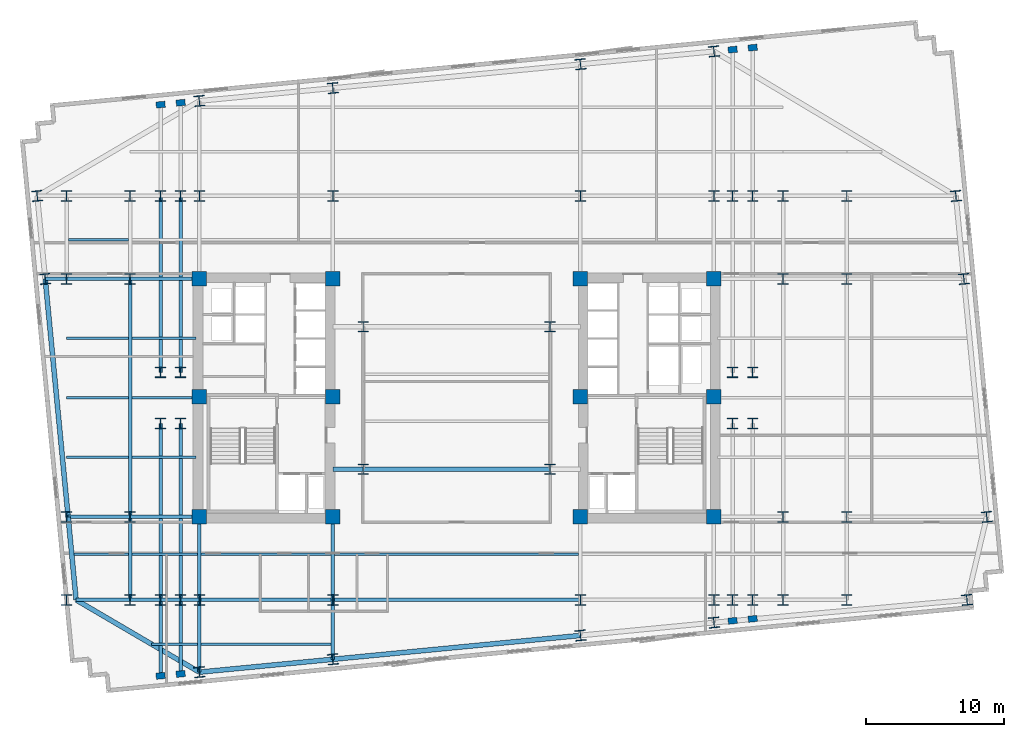
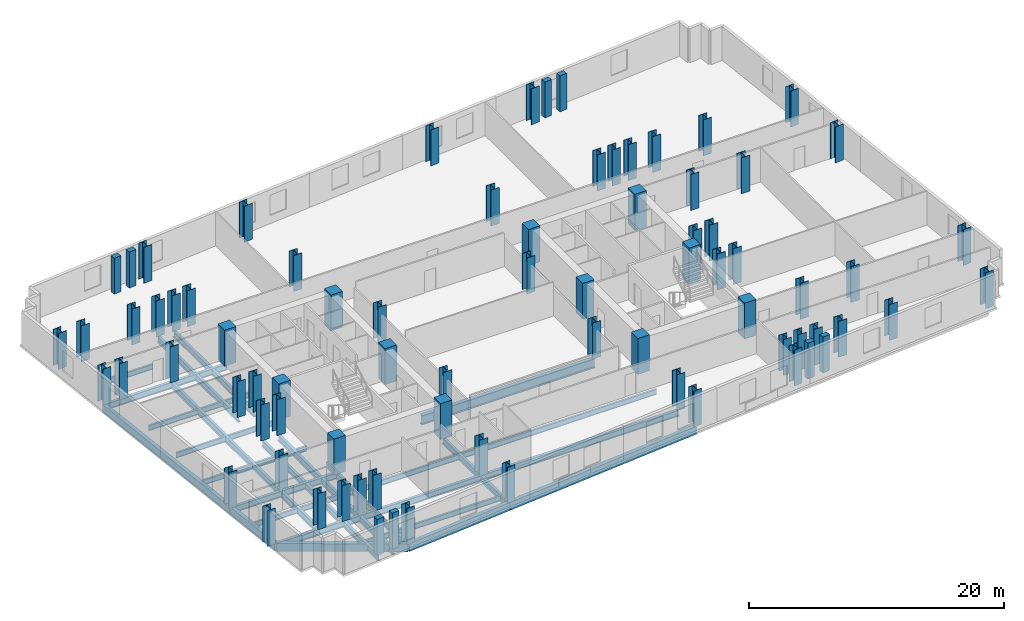
# One storey, part 1 of 10: 78 columns, 41 beams.
"""IFC4 building model written with IfcOpenShell, lengths in metres."""

from ifc_helpers import new_model, si_unit, direction, frame, origin, origin_2d, place, context, subcontext, project, spatial, rectangle, i_section, extrude, material, material_profile, profile_set, type_object, element, save


model = new_model("IFC4")

# Units and contexts
model_context = context("Model", 3, precision=1e-05, world=origin(), true_north=direction((0.0, 1.0)))
body_context = subcontext(model_context, "Body", "Model", "MODEL_VIEW")
ifc_project = project(units=[si_unit("LENGTHUNIT", "METRE"), si_unit("AREAUNIT", "SQUARE_METRE"), si_unit("VOLUMEUNIT", "CUBIC_METRE"), si_unit("PLANEANGLEUNIT", "RADIAN"), si_unit("MASSUNIT", "GRAM", prefix="KILO")], contexts=[model_context])

# Site, building, storey
site_placement = place(None, origin())
site = spatial("IfcSite", under=ifc_project, at=site_placement, CompositionType="ELEMENT")
building_placement = place(site_placement, origin())
building = spatial("IfcBuilding", under=site, at=building_placement, Name="Velakula Bourse", CompositionType="ELEMENT")
storey_placement = place(building_placement, frame((0.0, 0.0, 81.10009765625)))
storey = spatial("IfcBuildingStorey", under=building, at=storey_placement, Name="L21", CompositionType="ELEMENT", Elevation=81.10009765625)

# Columns
ifc_material_1 = material(Name="Concrete M70 (fck 70 MPa)", Category="concrete")
ifc_material_profile_1 = material_profile(ifc_material_1, rectangle(XDim=1.050048828125, YDim=1.050048828125, at=origin_2d()), Name="Concrete M70 (fck 70 MPa)")
ifc_profile_set_1 = profile_set([ifc_material_profile_1], Name="Concrete M70 (fck 70 MPa)")
column_type_1 = type_object("IfcColumnType", Name="COL-RC-1050", PredefinedType="COLUMN", material=ifc_profile_set_1)
for number, where, z_axis, x_axis, name in (
    (1, (-8.949951171875, -8.60009765625, 0.0), (0.0, 0.0, 1.0), (1.0, 0.0, 0.0), "L21 Core Boundary Column 01"),
    (2, (-8.949951171875, 0.10009765625, 0.0), (0.0, 0.0, 1.0), (1.0, 0.0, 0.0), "L21 Core Boundary Column 02"),
    (3, (-8.949951171875, 8.60009765625, 0.0), (0.0, 0.0, 1.0), (1.0, 0.0, 0.0), "L21 Core Boundary Column 03"),
    (4, (-18.60009765625, -8.60009765625, 0.0), (0.0, 0.0, 1.0), (1.0, 0.0, 0.0), "L21 Core Boundary Column 04"),
    (5, (-18.60009765625, 0.10009765625, 0.0), (0.0, 0.0, 1.0), (1.0, 0.0, 0.0), "L21 Core Boundary Column 05"),
    (6, (-18.60009765625, 8.60009765625, 0.0), (0.0, 0.0, 1.0), (1.0, 0.0, 0.0), "L21 Core Boundary Column 06"),
    (7, (8.949951171875, -8.60009765625, 0.0), (0.0, 0.0, 1.0), (1.0, 0.0, 0.0), "L21 Core Boundary Column 07"),
    (8, (8.949951171875, 0.10009765625, 0.0), (0.0, 0.0, 1.0), (1.0, 0.0, 0.0), "L21 Core Boundary Column 08"),
    (9, (8.949951171875, 8.60009765625, 0.0), (0.0, 0.0, 1.0), (1.0, 0.0, 0.0), "L21 Core Boundary Column 09"),
    (10, (18.60009765625, -8.60009765625, 0.0), (0.0, 0.0, 1.0), (1.0, 0.0, 0.0), "L21 Core Boundary Column 10"),
    (11, (18.60009765625, 0.10009765625, 0.0), (0.0, 0.0, 1.0), (1.0, 0.0, 0.0), "L21 Core Boundary Column 11"),
    (12, (18.60009765625, 8.60009765625, 0.0), (0.0, 0.0, 1.0), (1.0, 0.0, 0.0), "L21 Core Boundary Column 12"),
):
    element("IfcColumn", number, at=place(storey_placement, frame(where, z_axis=z_axis, x_axis=x_axis)), inside=storey, type_object=column_type_1, Name=name, PredefinedType="COLUMN", context=body_context, shape_type="SweptSolid", body=[
        extrude(rectangle(XDim=1.050048828125, YDim=1.050048828125, at=origin_2d()), origin(), (0.0, 0.0, 1.0), 3.449951171875),
    ])
ifc_material_2 = material(Name="Steel IS 2062 Grade 450 (E450)", Category="steel")
ifc_material_profile_2 = material_profile(ifc_material_2, i_section(OverallWidth=0.75, OverallDepth=0.75, WebThickness=0.030029296875, FlangeThickness=0.0439453125, at=origin_2d()), Name="Steel IS 2062 Grade 450 (E450)")
ifc_profile_set_2 = profile_set([ifc_material_profile_2], Name="Steel IS 2062 Grade 450 (E450)")
column_type_2 = type_object("IfcColumnType", Name="COL-STL-750", PredefinedType="COLUMN", material=ifc_profile_set_2)
for number, where, z_axis, x_axis, name in (
    (13, (-6.75, -5.14990234375, 0.0), (0.0, 0.0, 1.0), (1.0, 0.0, 0.0), "L21 Central Spine Column 01"),
    (14, (-6.75, 5.14990234375, 0.0), (0.0, 0.0, 1.0), (1.0, 0.0, 0.0), "L21 Central Spine Column 02"),
    (15, (6.75, -5.14990234375, 0.0), (0.0, 0.0, 1.0), (1.0, 0.0, 0.0), "L21 Central Spine Column 03"),
    (16, (6.75, 5.14990234375, 0.0), (0.0, 0.0, 1.0), (1.0, 0.0, 0.0), "L21 Central Spine Column 04"),
    (17, (-21.39990234375, -14.60009765625, 0.0), (0.0, 0.0, 1.0), (1.0, 0.0, 0.0), "L21 Tower Fulcrum Column 01"),
    (18, (-21.39990234375, 14.60009765625, 0.0), (0.0, 0.0, 1.0), (1.0, 0.0, 0.0), "L21 Tower Fulcrum Column 02"),
    (19, (-19.949951171875, -14.60009765625, 0.0), (0.0, 0.0, 1.0), (1.0, 0.0, 0.0), "L21 Tower Fulcrum Column 03"),
    (20, (-19.949951171875, 14.60009765625, 0.0), (0.0, 0.0, 1.0), (1.0, 0.0, 0.0), "L21 Tower Fulcrum Column 04"),
    (21, (-18.60009765625, -14.60009765625, 0.0), (0.0, 0.0, 1.0), (1.0, 0.0, 0.0), "L21 Tower Fulcrum Column 05"),
    (22, (-18.60009765625, 14.60009765625, 0.0), (0.0, 0.0, 1.0), (1.0, 0.0, 0.0), "L21 Tower Fulcrum Column 06"),
    (23, (-8.949951171875, -14.60009765625, 0.0), (0.0, 0.0, 1.0), (1.0, 0.0, 0.0), "L21 Tower Fulcrum Column 07"),
    (24, (-8.949951171875, 14.60009765625, 0.0), (0.0, 0.0, 1.0), (1.0, 0.0, 0.0), "L21 Tower Fulcrum Column 08"),
    (25, (8.949951171875, -14.60009765625, 0.0), (0.0, 0.0, 1.0), (1.0, 0.0, 0.0), "L21 Tower Fulcrum Column 09"),
    (26, (8.949951171875, 14.60009765625, 0.0), (0.0, 0.0, 1.0), (1.0, 0.0, 0.0), "L21 Tower Fulcrum Column 10"),
    (27, (18.60009765625, -14.60009765625, 0.0), (0.0, 0.0, 1.0), (1.0, 0.0, 0.0), "L21 Tower Fulcrum Column 11"),
    (28, (18.60009765625, 14.60009765625, 0.0), (0.0, 0.0, 1.0), (1.0, 0.0, 0.0), "L21 Tower Fulcrum Column 12"),
    (29, (19.949951171875, -14.60009765625, 0.0), (0.0, 0.0, 1.0), (1.0, 0.0, 0.0), "L21 Tower Fulcrum Column 13"),
    (30, (19.949951171875, 14.60009765625, 0.0), (0.0, 0.0, 1.0), (1.0, 0.0, 0.0), "L21 Tower Fulcrum Column 14"),
    (31, (21.39990234375, -14.60009765625, 0.0), (0.0, 0.0, 1.0), (1.0, 0.0, 0.0), "L21 Tower Fulcrum Column 15"),
    (32, (21.39990234375, 14.60009765625, 0.0), (0.0, 0.0, 1.0), (1.0, 0.0, 0.0), "L21 Tower Fulcrum Column 16"),
    (33, (-21.39990234375, -1.85009765625, 0.0), (0.0, 0.0, 1.0), (1.0, 0.0, 0.0), "L21 Tower Fulcrum Column 17"),
    (34, (-21.39990234375, 1.85009765625, 0.0), (0.0, 0.0, 1.0), (1.0, 0.0, 0.0), "L21 Tower Fulcrum Column 18"),
    (35, (-19.949951171875, -1.85009765625, 0.0), (0.0, 0.0, 1.0), (1.0, 0.0, 0.0), "L21 Tower Fulcrum Column 19"),
    (36, (-19.949951171875, 1.85009765625, 0.0), (0.0, 0.0, 1.0), (1.0, 0.0, 0.0), "L21 Tower Fulcrum Column 20"),
    (37, (19.949951171875, -1.85009765625, 0.0), (0.0, 0.0, 1.0), (1.0, 0.0, 0.0), "L21 Tower Fulcrum Column 21"),
    (38, (19.949951171875, 1.85009765625, 0.0), (0.0, 0.0, 1.0), (1.0, 0.0, 0.0), "L21 Tower Fulcrum Column 22"),
    (39, (21.39990234375, -1.85009765625, 0.0), (0.0, 0.0, 1.0), (1.0, 0.0, 0.0), "L21 Tower Fulcrum Column 23"),
    (40, (21.39990234375, 1.85009765625, 0.0), (0.0, 0.0, 1.0), (1.0, 0.0, 0.0), "L21 Tower Fulcrum Column 24"),
    (41, (-23.60009765625, -14.60009765625, 0.0), (0.0, 0.0, 1.0), (1.0, 0.0, 0.0), "L21 Mid-Wing Plumb Column 01"),
    (42, (-23.60009765625, -8.60009765625, 0.0), (0.0, 0.0, 1.0), (1.0, 0.0, 0.0), "L21 Mid-Wing Plumb Column 02"),
    (43, (-23.60009765625, 8.60009765625, 0.0), (0.0, 0.0, 1.0), (1.0, 0.0, 0.0), "L21 Mid-Wing Plumb Column 03"),
    (44, (-23.60009765625, 14.60009765625, 0.0), (0.0, 0.0, 1.0), (1.0, 0.0, 0.0), "L21 Mid-Wing Plumb Column 04"),
    (45, (23.60009765625, -14.60009765625, 0.0), (0.0, 0.0, 1.0), (1.0, 0.0, 0.0), "L21 Mid-Wing Plumb Column 05"),
    (46, (23.60009765625, -8.60009765625, 0.0), (0.0, 0.0, 1.0), (1.0, 0.0, 0.0), "L21 Mid-Wing Plumb Column 06"),
    (47, (23.60009765625, 8.60009765625, 0.0), (0.0, 0.0, 1.0), (1.0, 0.0, 0.0), "L21 Mid-Wing Plumb Column 07"),
    (48, (23.60009765625, 14.60009765625, 0.0), (0.0, 0.0, 1.0), (1.0, 0.0, 0.0), "L21 Mid-Wing Plumb Column 08"),
    (49, (-28.199951171875, -14.60009765625, 0.0), (0.0, 0.0, 1.0), (1.0, 0.0, 0.0), "L21 Lower Wing Column 01"),
    (50, (-28.199951171875, -8.60009765625, 0.0), (0.0, 0.0, 1.0), (1.0, 0.0, 0.0), "L21 Lower Wing Column 02"),
    (51, (-28.199951171875, 8.60009765625, 0.0), (0.0, 0.0, 1.0), (1.0, 0.0, 0.0), "L21 Lower Wing Column 03"),
    (52, (-28.199951171875, 14.60009765625, 0.0), (0.0, 0.0, 1.0), (1.0, 0.0, 0.0), "L21 Lower Wing Column 04"),
    (53, (28.199951171875, -14.60009765625, 0.0), (0.0, 0.0, 1.0), (1.0, 0.0, 0.0), "L21 Lower Wing Column 05"),
    (54, (28.199951171875, -8.60009765625, 0.0), (0.0, 0.0, 1.0), (1.0, 0.0, 0.0), "L21 Lower Wing Column 06"),
    (55, (28.199951171875, 8.60009765625, 0.0), (0.0, 0.0, 1.0), (1.0, 0.0, 0.0), "L21 Lower Wing Column 07"),
    (56, (28.199951171875, 14.60009765625, 0.0), (0.0, 0.0, 1.0), (1.0, 0.0, 0.0), "L21 Lower Wing Column 08"),
    (57, (-18.60009765625, -19.8212890625, 0.0), (0.0, 0.0, 1.0), (0.995396198367, 0.09584575252, 0.0), "L21 Block B2 Perimeter Column S1"),
    (58, (-8.949951171875, -18.89208984375, 0.0), (0.0, 0.0, 1.0), (0.995396198367, 0.09584575252, 0.0), "L21 Block B2 Perimeter Column S2"),
    (59, (8.949951171875, -17.16845703125, 0.0), (0.0, 0.0, 1.0), (0.995396198367, 0.09584575252, 0.0), "L21 Block B2 Perimeter Column S3"),
    (60, (18.60009765625, -16.2392578125, 0.0), (0.0, 0.0, 1.0), (0.995396198367, 0.09584575252, 0.0), "L21 Block B2 Perimeter Column S4"),
    (61, (-18.60009765625, 21.468994140625, 0.0), (0.0, 0.0, 1.0), (0.995396198367, 0.09584575252, 0.0), "L21 Block B2 Perimeter Column N1"),
    (62, (-8.949951171875, 22.398193359375, 0.0), (0.0, 0.0, 1.0), (0.995396198367, 0.09584575252, 0.0), "L21 Block B2 Perimeter Column N2"),
    (63, (8.949951171875, 24.12158203125, 0.0), (0.0, 0.0, 1.0), (0.995396198367, 0.09584575252, 0.0), "L21 Block B2 Perimeter Column N3"),
    (64, (18.60009765625, 25.05078125, 0.0), (0.0, 0.0, 1.0), (0.995396198367, 0.09584575252, 0.0), "L21 Block B2 Perimeter Column N4"),
    (65, (-29.7421875, 8.60009765625, 0.0), (0.0, 0.0, 1.0), (0.995396198367, 0.09584575252, 0.0), "L21 Block B2 Perimeter Column W3"),
    (66, (-30.31982421875, 14.60009765625, 0.0), (0.0, 0.0, 1.0), (0.995396198367, 0.09584575252, 0.0), "L21 Block B2 Perimeter Column W4"),
    (67, (36.88818359375, -14.60009765625, 0.0), (0.0, 0.0, 1.0), (0.995396198367, 0.09584575252, 0.0), "L21 Block B2 Perimeter Column E1"),
    (68, (38.31982421875, -8.60009765625, 0.0), (0.0, 0.0, 1.0), (0.995396198367, 0.09584575252, 0.0), "L21 Block B2 Perimeter Column E2"),
    (69, (36.66357421875, 8.60009765625, 0.0), (0.0, 0.0, 1.0), (0.995396198367, 0.09584575252, 0.0), "L21 Block B2 Perimeter Column E3"),
    (70, (36.0859375, 14.60009765625, 0.0), (0.0, 0.0, 1.0), (0.995396198367, 0.09584575252, 0.0), "L21 Block B2 Perimeter Column E4"),
):
    element("IfcColumn", number, at=place(storey_placement, frame(where, z_axis=z_axis, x_axis=x_axis)), inside=storey, type_object=column_type_2, Name=name, PredefinedType="COLUMN", context=body_context, shape_type="SweptSolid", body=[
        extrude(i_section(OverallWidth=0.75, OverallDepth=0.75, WebThickness=0.030029296875, FlangeThickness=0.0439453125, at=origin_2d()), origin(), (0.0, 0.0, 1.0), 3.449951171875),
    ])
ifc_material_3 = material(Name="Precast concrete M45 (fck 45 MPa)", Category="concrete")
ifc_material_profile_3 = material_profile(ifc_material_3, rectangle(XDim=0.64990234375, YDim=0.449951171875, at=origin_2d()), Name="Precast concrete M45 (fck 45 MPa)")
ifc_profile_set_3 = profile_set([ifc_material_profile_3], Name="Precast concrete M45 (fck 45 MPa)")
column_type_3 = type_object("IfcColumnType", Name="PIL-BRICK-650", PredefinedType="PILASTER", material=ifc_profile_set_3)
for number, where, z_axis, x_axis, name in (
    (71, (-21.39990234375, -20.0908203125, 0.0), (0.0, 0.0, 1.0), (0.995396198367, 0.09584575252, 0.0), "L21 Brick Pier Pilaster 01"),
    (72, (-19.949951171875, -19.951171875, 0.0), (0.0, 0.0, 1.0), (0.995396198367, 0.09584575252, 0.0), "L21 Brick Pier Pilaster 02"),
    (73, (19.949951171875, -16.109130859375, 0.0), (0.0, 0.0, 1.0), (0.995396198367, 0.09584575252, 0.0), "L21 Brick Pier Pilaster 03"),
    (74, (21.39990234375, -15.969482421875, 0.0), (0.0, 0.0, 1.0), (0.995396198367, 0.09584575252, 0.0), "L21 Brick Pier Pilaster 04"),
    (75, (-21.39990234375, 21.19921875, 0.0), (0.0, 0.0, 1.0), (0.995396198367, 0.09584575252, 0.0), "L21 Brick Pier Pilaster 05"),
    (76, (-19.949951171875, 21.3388671875, 0.0), (0.0, 0.0, 1.0), (0.995396198367, 0.09584575252, 0.0), "L21 Brick Pier Pilaster 06"),
    (77, (19.949951171875, 25.180908203125, 0.0), (0.0, 0.0, 1.0), (0.995396198367, 0.09584575252, 0.0), "L21 Brick Pier Pilaster 07"),
    (78, (21.39990234375, 25.320556640625, 0.0), (0.0, 0.0, 1.0), (0.995396198367, 0.09584575252, 0.0), "L21 Brick Pier Pilaster 08"),
):
    element("IfcColumn", number, at=place(storey_placement, frame(where, z_axis=z_axis, x_axis=x_axis)), inside=storey, type_object=column_type_3, Name=name, PredefinedType="PILASTER", context=body_context, shape_type="SweptSolid", body=[
        extrude(rectangle(XDim=0.64990234375, YDim=0.449951171875, at=origin_2d()), origin(), (0.0, 0.0, 1.0), 3.449951171875),
    ])

# Beams
ifc_material_4 = material(Name="Steel IS 2062 Grade 350 (E350)", Category="steel")
ifc_material_profile_4 = material_profile(ifc_material_4, i_section(OverallWidth=0.25, OverallDepth=0.60009765625, WebThickness=0.01171875, FlangeThickness=0.023681640625, at=origin_2d()), Name="Steel IS 2062 Grade 350 (E350)")
ifc_profile_set_4 = profile_set([ifc_material_profile_4], Name="Steel IS 2062 Grade 350 (E350)")
beam_type_1 = type_object("IfcBeamType", Name="BM-GRD-600H", PredefinedType="BEAM", material=ifc_profile_set_4)
for number, where, z_axis, x_axis, name in (
    (79, (-18.60009765625, -14.60009765625, -0.47998046875), (0.0, 1.0, 0.0), (-1.0, 0.0, 0.0), "L21 Fulcrum Grid Girder FLC-WS"),
    (80, (-8.949951171875, -14.60009765625, -0.47998046875), (0.0, 1.0, 0.0), (-1.0, 0.0, 0.0), "L21 Fulcrum Grid Girder FLC-WCS"),
):
    element("IfcBeam", number, at=place(storey_placement, frame(where, z_axis=z_axis, x_axis=x_axis)), inside=storey, type_object=beam_type_1, Name=name, PredefinedType="BEAM", context=body_context, shape_type="SweptSolid", body=[
        extrude(i_section(OverallWidth=0.25, OverallDepth=0.60009765625, WebThickness=0.01171875, FlangeThickness=0.023681640625, at=origin_2d()), origin(), (0.0, 0.0, 1.0), 6.0),
    ])
beam_1_placement = place(storey_placement, frame((-18.60009765625, -14.60009765625, -0.47998046875), z_axis=(1.0, 0.0, 0.0), x_axis=(0.0, 1.0, 0.0)))
element("IfcBeam", 81, at=beam_1_placement, inside=storey, type_object=beam_type_1, Name="L21 Fulcrum Grid Girder FLC-S1", PredefinedType="BEAM", context=body_context, shape_type="SweptSolid", body=[
    extrude(i_section(OverallWidth=0.25, OverallDepth=0.60009765625, WebThickness=0.01171875, FlangeThickness=0.023681640625, at=origin_2d()), origin(), (0.0, 0.0, 1.0), 9.650146484375),
])
beam_2_placement = place(storey_placement, frame((-8.949951171875, -14.60009765625, -0.47998046875), z_axis=(1.0, 0.0, 0.0), x_axis=(0.0, 1.0, 0.0)))
element("IfcBeam", 82, at=beam_2_placement, inside=storey, type_object=beam_type_1, Name="L21 Fulcrum Grid Girder FLC-S2", PredefinedType="BEAM", context=body_context, shape_type="SweptSolid", body=[
    extrude(i_section(OverallWidth=0.25, OverallDepth=0.60009765625, WebThickness=0.01171875, FlangeThickness=0.023681640625, at=origin_2d()), origin(), (0.0, 0.0, 1.0), 17.89990234375),
])
for number, where, z_axis, x_axis, name in (
    (83, (-21.39990234375, -14.60009765625, -0.47998046875), (0.0, 1.0, 0.0), (-1.0, 0.0, 0.0), "L21 Fulcrum Grid Girder FLC-PSW1"),
    (84, (-21.39990234375, 1.85009765625, -0.47998046875), (0.0, 1.0, 0.0), (-1.0, 0.0, 0.0), "L21 Fulcrum Grid Girder FLC-PNW1"),
    (85, (-19.949951171875, -14.60009765625, -0.47998046875), (0.0, 1.0, 0.0), (-1.0, 0.0, 0.0), "L21 Fulcrum Grid Girder FLC-PSW2"),
    (86, (-19.949951171875, 1.85009765625, -0.47998046875), (0.0, 1.0, 0.0), (-1.0, 0.0, 0.0), "L21 Fulcrum Grid Girder FLC-PNW2"),
):
    element("IfcBeam", number, at=place(storey_placement, frame(where, z_axis=z_axis, x_axis=x_axis)), inside=storey, type_object=beam_type_1, Name=name, PredefinedType="BEAM", context=body_context, shape_type="SweptSolid", body=[
        extrude(i_section(OverallWidth=0.25, OverallDepth=0.60009765625, WebThickness=0.01171875, FlangeThickness=0.023681640625, at=origin_2d()), origin(), (0.0, 0.0, 1.0), 12.75),
    ])
for number, where, z_axis, x_axis, name in (
    (87, (-23.60009765625, -14.60009765625, -0.47998046875), (1.0, 0.0, 0.0), (0.0, 1.0, 0.0), "L21 Fulcrum Grid Girder MWG-WS1"),
    (88, (-23.60009765625, -8.60009765625, -0.47998046875), (1.0, 0.0, 0.0), (0.0, 1.0, 0.0), "L21 Fulcrum Grid Girder MWG-WS2"),
    (89, (-23.60009765625, 8.60009765625, -0.47998046875), (1.0, 0.0, 0.0), (0.0, 1.0, 0.0), "L21 Fulcrum Grid Girder MWG-WN1"),
):
    element("IfcBeam", number, at=place(storey_placement, frame(where, z_axis=z_axis, x_axis=x_axis)), inside=storey, type_object=beam_type_1, Name=name, PredefinedType="BEAM", context=body_context, shape_type="SweptSolid", body=[
        extrude(i_section(OverallWidth=0.25, OverallDepth=0.60009765625, WebThickness=0.01171875, FlangeThickness=0.023681640625, at=origin_2d()), origin(), (0.0, 0.0, 1.0), 5.0),
    ])
beam_3_placement = place(storey_placement, frame((-23.60009765625, -14.60009765625, -0.47998046875), z_axis=(0.0, 1.0, 0.0), x_axis=(-1.0, 0.0, 0.0)))
element("IfcBeam", 90, at=beam_3_placement, inside=storey, type_object=beam_type_1, Name="L21 Fulcrum Grid Girder MWG-WNS1", PredefinedType="BEAM", context=body_context, shape_type="SweptSolid", body=[
    extrude(i_section(OverallWidth=0.25, OverallDepth=0.60009765625, WebThickness=0.01171875, FlangeThickness=0.023681640625, at=origin_2d()), origin(), (0.0, 0.0, 1.0), 6.0),
])
beam_4_placement = place(storey_placement, frame((-23.60009765625, -8.60009765625, -0.47998046875), z_axis=(0.0, 1.0, 0.0), x_axis=(-1.0, 0.0, 0.0)))
element("IfcBeam", 91, at=beam_4_placement, inside=storey, type_object=beam_type_1, Name="L21 Fulcrum Grid Girder MWG-WNS2", PredefinedType="BEAM", context=body_context, shape_type="SweptSolid", body=[
    extrude(i_section(OverallWidth=0.25, OverallDepth=0.60009765625, WebThickness=0.01171875, FlangeThickness=0.023681640625, at=origin_2d()), origin(), (0.0, 0.0, 1.0), 17.2001953125),
])
beam_5_placement = place(storey_placement, frame((-27.50830078125, -14.60009765625, -0.47998046875), z_axis=(1.0, 0.0, 0.0), x_axis=(0.0, 1.0, 0.0)))
element("IfcBeam", 92, at=beam_5_placement, inside=storey, type_object=beam_type_1, Name="L21 Fulcrum Grid Girder WNG-WS1", PredefinedType="BEAM", context=body_context, shape_type="SweptSolid", body=[
    extrude(i_section(OverallWidth=0.25, OverallDepth=0.60009765625, WebThickness=0.01171875, FlangeThickness=0.023681640625, at=origin_2d()), origin(), (0.0, 0.0, 1.0), 3.908203125),
])
beam_6_placement = place(storey_placement, frame((-28.0859375, -8.60009765625, -0.47998046875), z_axis=(1.0, 0.0, 0.0), x_axis=(0.0, 1.0, 0.0)))
element("IfcBeam", 93, at=beam_6_placement, inside=storey, type_object=beam_type_1, Name="L21 Fulcrum Grid Girder WNG-WS2", PredefinedType="BEAM", context=body_context, shape_type="SweptSolid", body=[
    extrude(i_section(OverallWidth=0.25, OverallDepth=0.60009765625, WebThickness=0.01171875, FlangeThickness=0.023681640625, at=origin_2d()), origin(), (0.0, 0.0, 1.0), 4.48583984375),
])
beam_7_placement = place(storey_placement, frame((-28.199951171875, 8.60009765625, -0.47998046875), z_axis=(1.0, 0.0, 0.0), x_axis=(0.0, 1.0, 0.0)))
element("IfcBeam", 94, at=beam_7_placement, inside=storey, type_object=beam_type_1, Name="L21 Fulcrum Grid Girder WNG-WN1", PredefinedType="BEAM", context=body_context, shape_type="SweptSolid", body=[
    extrude(i_section(OverallWidth=0.25, OverallDepth=0.60009765625, WebThickness=0.01171875, FlangeThickness=0.023681640625, at=origin_2d()), origin(), (0.0, 0.0, 1.0), 4.599853515625),
])
beam_8_placement = place(storey_placement, frame((-18.60009765625, -14.60009765625, -0.47998046875), z_axis=(0.0, -1.0, 0.0), x_axis=(1.0, 0.0, 0.0)))
element("IfcBeam", 95, at=beam_8_placement, inside=storey, type_object=beam_type_1, Name="L21 Perimeter Tie Girder S1", PredefinedType="BEAM", context=body_context, shape_type="SweptSolid", body=[
    extrude(i_section(OverallWidth=0.25, OverallDepth=0.60009765625, WebThickness=0.01171875, FlangeThickness=0.023681640625, at=origin_2d()), origin(), (0.0, 0.0, 1.0), 5.22119140625),
])
beam_9_placement = place(storey_placement, frame((-8.949951171875, -14.60009765625, -0.47998046875), z_axis=(0.0, -1.0, 0.0), x_axis=(1.0, 0.0, 0.0)))
element("IfcBeam", 96, at=beam_9_placement, inside=storey, type_object=beam_type_1, Name="L21 Perimeter Tie Girder S2", PredefinedType="BEAM", context=body_context, shape_type="SweptSolid", body=[
    extrude(i_section(OverallWidth=0.25, OverallDepth=0.60009765625, WebThickness=0.01171875, FlangeThickness=0.023681640625, at=origin_2d()), origin(), (0.0, 0.0, 1.0), 4.2919921875),
])
beam_10_placement = place(storey_placement, frame((-28.199951171875, 8.60009765625, -0.47998046875), z_axis=(-1.0, 0.0, 0.0), x_axis=(0.0, -1.0, 0.0)))
element("IfcBeam", 97, at=beam_10_placement, inside=storey, type_object=beam_type_1, Name="L21 Perimeter Tie Girder W3", PredefinedType="BEAM", context=body_context, shape_type="SweptSolid", body=[
    extrude(i_section(OverallWidth=0.25, OverallDepth=0.60009765625, WebThickness=0.01171875, FlangeThickness=0.023681640625, at=origin_2d()), origin(), (0.0, 0.0, 1.0), 1.542236328125),
])
beam_11_placement = place(storey_placement, frame((-21.39990234375, -14.60009765625, -0.47998046875), z_axis=(0.0, -1.0, 0.0), x_axis=(1.0, 0.0, 0.0)))
element("IfcBeam", 98, at=beam_11_placement, inside=storey, type_object=beam_type_1, Name="L21 Perimeter Tie Girder P01", PredefinedType="BEAM", context=body_context, shape_type="SweptSolid", body=[
    extrude(i_section(OverallWidth=0.25, OverallDepth=0.60009765625, WebThickness=0.01171875, FlangeThickness=0.023681640625, at=origin_2d()), origin(), (0.0, 0.0, 1.0), 5.49072265625),
])
beam_12_placement = place(storey_placement, frame((-19.949951171875, -14.60009765625, -0.47998046875), z_axis=(0.0, -1.0, 0.0), x_axis=(1.0, 0.0, 0.0)))
element("IfcBeam", 99, at=beam_12_placement, inside=storey, type_object=beam_type_1, Name="L21 Perimeter Tie Girder P02", PredefinedType="BEAM", context=body_context, shape_type="SweptSolid", body=[
    extrude(i_section(OverallWidth=0.25, OverallDepth=0.60009765625, WebThickness=0.01171875, FlangeThickness=0.023681640625, at=origin_2d()), origin(), (0.0, 0.0, 1.0), 5.35107421875),
])
ifc_material_profile_5 = material_profile(ifc_material_4, i_section(OverallWidth=0.35009765625, OverallDepth=0.89990234375, WebThickness=0.02001953125, FlangeThickness=0.031982421875, at=origin_2d()), Name="Steel IS 2062 Grade 350 (E350)")
ifc_profile_set_5 = profile_set([ifc_material_profile_5], Name="Steel IS 2062 Grade 350 (E350)")
beam_type_2 = type_object("IfcBeamType", Name="BM-LNK-900", PredefinedType="BEAM", material=ifc_profile_set_5)
beam_13_placement = place(storey_placement, frame((-8.949951171875, -5.14990234375, -0.630126953125), z_axis=(1.0, 0.0, 0.0), x_axis=(0.0, 1.0, 0.0)))
element("IfcBeam", 100, at=beam_13_placement, inside=storey, type_object=beam_type_2, Name="L21 Primary Backbone Girder LNK-S1", PredefinedType="BEAM", context=body_context, shape_type="SweptSolid", body=[
    extrude(i_section(OverallWidth=0.35009765625, OverallDepth=0.89990234375, WebThickness=0.02001953125, FlangeThickness=0.031982421875, at=origin_2d()), origin(), (0.0, 0.0, 1.0), 2.199951171875),
])
beam_14_placement = place(storey_placement, frame((-6.75, -5.14990234375, -0.630126953125), z_axis=(1.0, 0.0, 0.0), x_axis=(0.0, 1.0, 0.0)))
element("IfcBeam", 101, at=beam_14_placement, inside=storey, type_object=beam_type_2, Name="L21 Primary Backbone Girder LNK-S2", PredefinedType="BEAM", context=body_context, shape_type="SweptSolid", body=[
    extrude(i_section(OverallWidth=0.35009765625, OverallDepth=0.89990234375, WebThickness=0.02001953125, FlangeThickness=0.031982421875, at=origin_2d()), origin(), (0.0, 0.0, 1.0), 13.5),
])
ifc_material_profile_6 = material_profile(ifc_material_4, i_section(OverallWidth=0.179931640625, OverallDepth=0.5, WebThickness=0.01025390625, FlangeThickness=0.01708984375, at=origin_2d()), Name="Steel IS 2062 Grade 350 (E350)")
ifc_profile_set_6 = profile_set([ifc_material_profile_6], Name="Steel IS 2062 Grade 350 (E350)")
beam_type_3 = type_object("IfcBeamType", Name="JST-TWR-500", PredefinedType="JOIST", material=ifc_profile_set_6)
beam_15_placement = place(storey_placement, frame((-22.048583984375, -17.800048828125, -0.43017578125), z_axis=(1.0, 0.0, 0.0), x_axis=(0.0, 1.0, 0.0)))
element("IfcBeam", 102, at=beam_15_placement, inside=storey, type_object=beam_type_3, Name="L21 Trading Floor Composite Joist 01", PredefinedType="JOIST", context=body_context, shape_type="SweptSolid", body=[
    extrude(i_section(OverallWidth=0.179931640625, OverallDepth=0.5, WebThickness=0.01025390625, FlangeThickness=0.01708984375, at=origin_2d()), origin(), (0.0, 0.0, 1.0), 3.323486328125),
])
beam_16_placement = place(storey_placement, frame((-18.47509765625, -17.800048828125, -0.43017578125), z_axis=(1.0, 0.0, 0.0), x_axis=(0.0, 1.0, 0.0)))
element("IfcBeam", 103, at=beam_16_placement, inside=storey, type_object=beam_type_3, Name="L21 Trading Floor Composite Joist 02", PredefinedType="JOIST", context=body_context, shape_type="SweptSolid", body=[
    extrude(i_section(OverallWidth=0.179931640625, OverallDepth=0.5, WebThickness=0.01025390625, FlangeThickness=0.01708984375, at=origin_2d()), origin(), (0.0, 0.0, 1.0), 9.400146484375),
])
beam_17_placement = place(storey_placement, frame((-27.650146484375, -11.300048828125, -0.43017578125), z_axis=(1.0, 0.0, 0.0), x_axis=(0.0, 1.0, 0.0)))
element("IfcBeam", 104, at=beam_17_placement, inside=storey, type_object=beam_type_3, Name="L21 Trading Floor Composite Joist 04", PredefinedType="JOIST", context=body_context, shape_type="SweptSolid", body=[
    extrude(i_section(OverallWidth=0.179931640625, OverallDepth=0.5, WebThickness=0.01025390625, FlangeThickness=0.01708984375, at=origin_2d()), origin(), (0.0, 0.0, 1.0), 3.925048828125),
])
beam_18_placement = place(storey_placement, frame((-23.47509765625, -11.300048828125, -0.43017578125), z_axis=(1.0, 0.0, 0.0), x_axis=(0.0, 1.0, 0.0)))
element("IfcBeam", 105, at=beam_18_placement, inside=storey, type_object=beam_type_3, Name="L21 Trading Floor Composite Joist 05", PredefinedType="JOIST", context=body_context, shape_type="SweptSolid", body=[
    extrude(i_section(OverallWidth=0.179931640625, OverallDepth=0.5, WebThickness=0.01025390625, FlangeThickness=0.01708984375, at=origin_2d()), origin(), (0.0, 0.0, 1.0), 4.75),
])
beam_19_placement = place(storey_placement, frame((-18.47509765625, -11.300048828125, -0.43017578125), z_axis=(1.0, 0.0, 0.0), x_axis=(0.0, 1.0, 0.0)))
element("IfcBeam", 106, at=beam_19_placement, inside=storey, type_object=beam_type_3, Name="L21 Trading Floor Composite Joist 06", PredefinedType="JOIST", context=body_context, shape_type="SweptSolid", body=[
    extrude(i_section(OverallWidth=0.179931640625, OverallDepth=0.5, WebThickness=0.01025390625, FlangeThickness=0.01708984375, at=origin_2d()), origin(), (0.0, 0.0, 1.0), 9.400146484375),
])
beam_20_placement = place(storey_placement, frame((-8.824951171875, -11.300048828125, -0.43017578125), z_axis=(1.0, 0.0, 0.0), x_axis=(0.0, 1.0, 0.0)))
element("IfcBeam", 107, at=beam_20_placement, inside=storey, type_object=beam_type_3, Name="L21 Trading Floor Composite Joist 07", PredefinedType="JOIST", context=body_context, shape_type="SweptSolid", body=[
    extrude(i_section(OverallWidth=0.179931640625, OverallDepth=0.5, WebThickness=0.01025390625, FlangeThickness=0.01708984375, at=origin_2d()), origin(), (0.0, 0.0, 1.0), 17.64990234375),
])
beam_21_placement = place(storey_placement, frame((-28.074951171875, 11.449951171875, -0.43017578125), z_axis=(1.0, 0.0, 0.0), x_axis=(0.0, 1.0, 0.0)))
element("IfcBeam", 108, at=beam_21_placement, inside=storey, type_object=beam_type_3, Name="L21 Trading Floor Composite Joist 12", PredefinedType="JOIST", context=body_context, shape_type="SweptSolid", body=[
    extrude(i_section(OverallWidth=0.179931640625, OverallDepth=0.5, WebThickness=0.01025390625, FlangeThickness=0.01708984375, at=origin_2d()), origin(), (0.0, 0.0, 1.0), 4.349853515625),
])
beam_22_placement = place(storey_placement, frame((-28.199951171875, -4.300048828125, -0.43017578125), z_axis=(1.0, 0.0, 0.0), x_axis=(0.0, 1.0, 0.0)))
element("IfcBeam", 109, at=beam_22_placement, inside=storey, type_object=beam_type_3, Name="L21 Trading Floor Composite Joist 33", PredefinedType="JOIST", context=body_context, shape_type="SweptSolid", body=[
    extrude(i_section(OverallWidth=0.179931640625, OverallDepth=0.5, WebThickness=0.01025390625, FlangeThickness=0.01708984375, at=origin_2d()), origin(), (0.0, 0.0, 1.0), 4.474853515625),
])
beam_23_placement = place(storey_placement, frame((-23.47509765625, -4.300048828125, -0.43017578125), z_axis=(1.0, 0.0, 0.0), x_axis=(0.0, 1.0, 0.0)))
element("IfcBeam", 110, at=beam_23_placement, inside=storey, type_object=beam_type_3, Name="L21 Trading Floor Composite Joist 34", PredefinedType="JOIST", context=body_context, shape_type="SweptSolid", body=[
    extrude(i_section(OverallWidth=0.179931640625, OverallDepth=0.5, WebThickness=0.01025390625, FlangeThickness=0.01708984375, at=origin_2d()), origin(), (0.0, 0.0, 1.0), 4.625),
])
beam_24_placement = place(storey_placement, frame((-28.199951171875, 0.0, -0.43017578125), z_axis=(1.0, 0.0, 0.0), x_axis=(0.0, 1.0, 0.0)))
element("IfcBeam", 111, at=beam_24_placement, inside=storey, type_object=beam_type_3, Name="L21 Trading Floor Composite Joist 38", PredefinedType="JOIST", context=body_context, shape_type="SweptSolid", body=[
    extrude(i_section(OverallWidth=0.179931640625, OverallDepth=0.5, WebThickness=0.01025390625, FlangeThickness=0.01708984375, at=origin_2d()), origin(), (0.0, 0.0, 1.0), 4.474853515625),
])
beam_25_placement = place(storey_placement, frame((-23.47509765625, 0.0, -0.43017578125), z_axis=(1.0, 0.0, 0.0), x_axis=(0.0, 1.0, 0.0)))
element("IfcBeam", 112, at=beam_25_placement, inside=storey, type_object=beam_type_3, Name="L21 Trading Floor Composite Joist 39", PredefinedType="JOIST", context=body_context, shape_type="SweptSolid", body=[
    extrude(i_section(OverallWidth=0.179931640625, OverallDepth=0.5, WebThickness=0.01025390625, FlangeThickness=0.01708984375, at=origin_2d()), origin(), (0.0, 0.0, 1.0), 4.625),
])
beam_26_placement = place(storey_placement, frame((-28.199951171875, 4.300048828125, -0.43017578125), z_axis=(1.0, 0.0, 0.0), x_axis=(0.0, 1.0, 0.0)))
element("IfcBeam", 113, at=beam_26_placement, inside=storey, type_object=beam_type_3, Name="L21 Trading Floor Composite Joist 43", PredefinedType="JOIST", context=body_context, shape_type="SweptSolid", body=[
    extrude(i_section(OverallWidth=0.179931640625, OverallDepth=0.5, WebThickness=0.01025390625, FlangeThickness=0.01708984375, at=origin_2d()), origin(), (0.0, 0.0, 1.0), 4.474853515625),
])
beam_27_placement = place(storey_placement, frame((-23.47509765625, 4.300048828125, -0.43017578125), z_axis=(1.0, 0.0, 0.0), x_axis=(0.0, 1.0, 0.0)))
element("IfcBeam", 114, at=beam_27_placement, inside=storey, type_object=beam_type_3, Name="L21 Trading Floor Composite Joist 44", PredefinedType="JOIST", context=body_context, shape_type="SweptSolid", body=[
    extrude(i_section(OverallWidth=0.179931640625, OverallDepth=0.5, WebThickness=0.01025390625, FlangeThickness=0.01708984375, at=origin_2d()), origin(), (0.0, 0.0, 1.0), 4.625),
])
ifc_material_profile_7 = material_profile(ifc_material_3, rectangle(XDim=0.35009765625, YDim=0.75, at=origin_2d()), Name="Precast concrete M45 (fck 45 MPa)")
ifc_profile_set_7 = profile_set([ifc_material_profile_7], Name="Precast concrete M45 (fck 45 MPa)")
beam_type_4 = type_object("IfcBeamType", Name="SPN-BRICK-750", PredefinedType="SPANDREL", material=ifc_profile_set_7)
beam_28_placement = place(storey_placement, frame((-18.60009765625, -19.8212890625, -0.55517578125), z_axis=(0.99539623971, 0.095845323155, 0.0), x_axis=(-0.095845323155, 0.99539623971, 0.0)))
element("IfcBeam", 115, at=beam_28_placement, inside=storey, type_object=beam_type_4, Name="L21 Brick-Faced Precast Spandrel S1-S2", PredefinedType="SPANDREL", context=body_context, shape_type="SweptSolid", body=[
    extrude(rectangle(XDim=0.35009765625, YDim=0.75, at=origin_2d()), origin(), (0.0, 0.0, 1.0), 9.69482421875),
])
beam_29_placement = place(storey_placement, frame((-8.949951171875, -18.89208984375, -0.55517578125), z_axis=(0.995395836254, 0.095849513134, 0.0), x_axis=(-0.095849513134, 0.995395836254, 0.0)))
element("IfcBeam", 116, at=beam_29_placement, inside=storey, type_object=beam_type_4, Name="L21 Brick-Faced Precast Spandrel S2-S3", PredefinedType="SPANDREL", context=body_context, shape_type="SweptSolid", body=[
    extrude(rectangle(XDim=0.35009765625, YDim=0.75, at=origin_2d()), origin(), (0.0, 0.0, 1.0), 17.982666015625),
])
beam_30_placement = place(storey_placement, frame((-27.50830078125, -14.60009765625, -0.55517578125), z_axis=(-0.095829714309, 0.995397742541, 0.0), x_axis=(-0.995397742541, -0.095829714309, 0.0)))
element("IfcBeam", 117, at=beam_30_placement, inside=storey, type_object=beam_type_4, Name="L21 Brick-Faced Precast Spandrel W1-W2", PredefinedType="SPANDREL", context=body_context, shape_type="SweptSolid", body=[
    extrude(rectangle(XDim=0.35009765625, YDim=0.75, at=origin_2d()), origin(), (0.0, 0.0, 1.0), 6.02783203125),
])
beam_31_placement = place(storey_placement, frame((-28.0859375, -8.60009765625, -0.55517578125), z_axis=(-0.095849167925, 0.995395869495, 0.0), x_axis=(-0.995395869495, -0.095849167925, 0.0)))
element("IfcBeam", 118, at=beam_31_placement, inside=storey, type_object=beam_type_4, Name="L21 Brick-Faced Precast Spandrel W2-W3", PredefinedType="SPANDREL", context=body_context, shape_type="SweptSolid", body=[
    extrude(rectangle(XDim=0.35009765625, YDim=0.75, at=origin_2d()), origin(), (0.0, 0.0, 1.0), 17.27978515625),
])
beam_32_placement = place(storey_placement, frame((-27.50830078125, -14.60009765625, -0.55517578125), z_axis=(0.862734250413, -0.505657604674, 0.0), x_axis=(0.505657604674, 0.862734250413, 0.0)))
element("IfcBeam", 119, at=beam_32_placement, inside=storey, type_object=beam_type_4, Name="L21 Brick-Faced Precast Spandrel W1-S1", PredefinedType="SPANDREL", context=body_context, shape_type="SweptSolid", body=[
    extrude(rectangle(XDim=0.35009765625, YDim=0.75, at=origin_2d()), origin(), (0.0, 0.0, 1.0), 10.325439453125),
])

save(model, "model.ifc")
